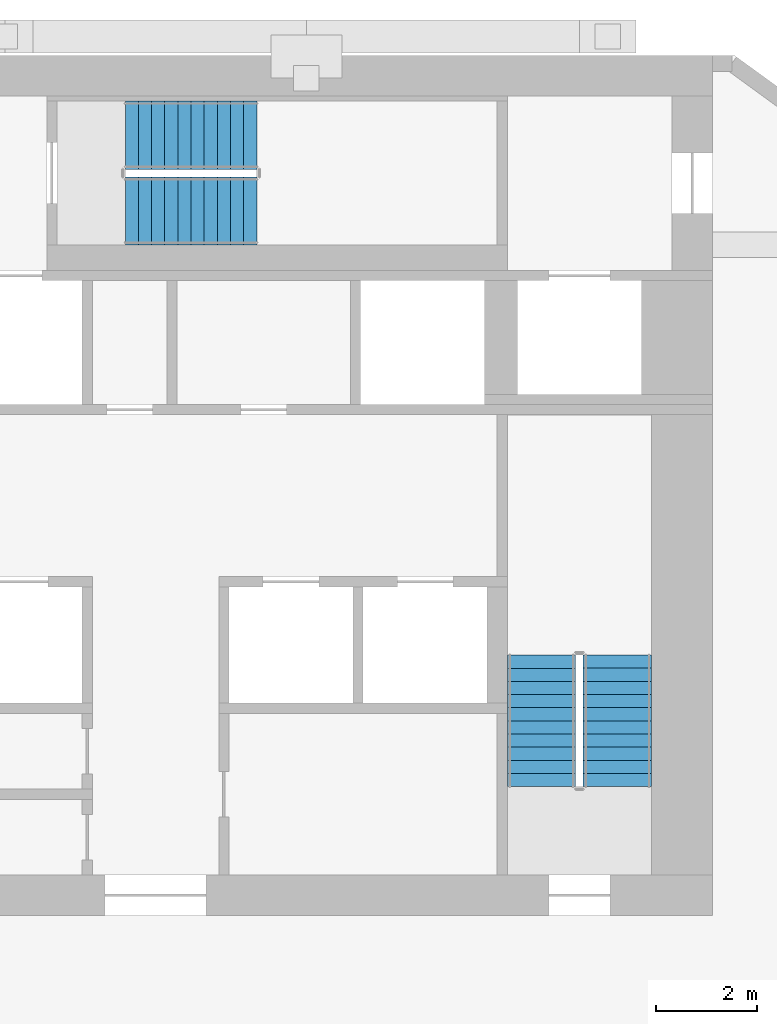
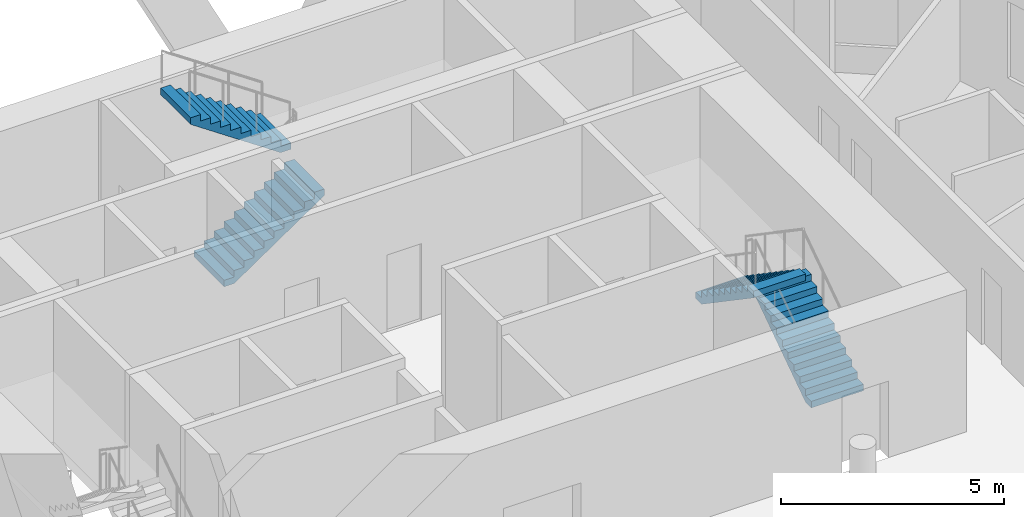
# One storey, part 8 of 10: 4 stair flights, 2 elements without a shape of their own.
"""IFC4 building model written with IfcOpenShell, lengths in metres."""

from ifc_helpers import new_model, si_unit, direction, frame, origin, place, context, subcontext, project, spatial, polyline, outline, extrude, material, layer, layer_set, type_object, element, aggregate, save


model = new_model("IFC4")

# Units and contexts
model_context = context("Model", 3, precision=1e-05, world=origin(), true_north=direction((0.0, 1.0)))
body_context = subcontext(model_context, "Body", "Model", "MODEL_VIEW")
ifc_project = project(units=[si_unit("LENGTHUNIT", "METRE"), si_unit("AREAUNIT", "SQUARE_METRE"), si_unit("VOLUMEUNIT", "CUBIC_METRE"), si_unit("PLANEANGLEUNIT", "RADIAN"), si_unit("MASSUNIT", "GRAM", prefix="KILO")], contexts=[model_context])

# Site, building, storey
site_placement = place(None, origin())
site = spatial("IfcSite", under=ifc_project, at=site_placement, CompositionType="ELEMENT")
building_placement = place(site_placement, origin())
building = spatial("IfcBuilding", under=site, at=building_placement, Name="White Candle Pilgrim Tower", CompositionType="ELEMENT")
storey_placement = place(building_placement, frame((0.0, 0.0, 231.60009765625)))
storey = spatial("IfcBuildingStorey", under=building, at=storey_placement, Name="L54", CompositionType="ELEMENT", Elevation=231.60009765625)

# Stair, stair flights
ifc_material = material(Name="Concrete C40/50", Category="concrete")
stair_type_1 = type_object("IfcStairType", Name="Exit stair 2 flight width 1350 mm", PredefinedType="HALF_TURN_STAIR", material=ifc_material)
stair_1_placement = place(storey_placement, origin())
stair_1 = element("IfcStair", 1, at=stair_1_placement, inside=storey, type_object=stair_type_1, Name="L54 stair 2", PredefinedType="NOTDEFINED")
ifc_layer = layer(ifc_material, 0.14990234375)
ifc_layer_set = layer_set([ifc_layer], Name="Stair flight Concrete C40/50")
stair_flight_type = type_object("IfcStairFlightType", Name="Stair flight Concrete C40/50", PredefinedType="STRAIGHT", material=ifc_layer_set)
stair_flight_1_placement = place(storey_placement, frame((79.125, 73.550048828125, 0.0), z_axis=(0.0, 0.0, 1.0), x_axis=(0.0, 1.0, 0.0)))
stair_flight_1 = element("IfcStairFlight", 2, at=stair_flight_1_placement, type_object=stair_flight_type, Name="ST2 flight 1", NumberOfRisers=11, NumberOfTreads=10, PredefinedType="NOTDEFINED", RiserHeight=0.177272727, TreadLength=0.26, context=body_context, shape_type="SweptSolid", body=[
    extrude(outline(polyline([(0.0, 0.0), (0.0, 0.17724609375), (0.260009765625, 0.17724609375), (0.260009765625, 0.3544921875), (0.52001953125, 0.3544921875), (0.52001953125, 0.53173828125), (0.780029296875, 0.53173828125), (0.780029296875, 0.708984375), (1.0400390625, 0.708984375), (1.0400390625, 0.886474609375), (1.300048828125, 0.886474609375), (1.300048828125, 1.063720703125), (1.56005859375, 1.063720703125), (1.56005859375, 1.240966796875), (1.820068359375, 1.240966796875), (1.820068359375, 1.418212890625), (2.080078125, 1.418212890625), (2.080078125, 1.595458984375), (2.340087890625, 1.595458984375), (2.340087890625, 1.772705078125), (2.60009765625, 1.772705078125), (2.60009765625, 1.949951171875), (2.60009765625, 1.59130859375), (0.26611328125, 0.0), (0.0, 0.0)])), frame((0.0, 0.675048828125, 0.0), z_axis=(0.0, -1.0, 0.0), x_axis=(1.0, 0.0, 0.0)), (0.0, 0.0, 1.0), 1.35009765625),
])
stair_flight_2_placement = place(storey_placement, frame((77.625, 76.14990234375, 1.949951171875), z_axis=(0.0, 0.0, 1.0), x_axis=(0.0, -1.0, 0.0)))
stair_flight_2 = element("IfcStairFlight", 3, at=stair_flight_2_placement, type_object=stair_flight_type, Name="ST2 flight 2", NumberOfRisers=11, NumberOfTreads=10, PredefinedType="NOTDEFINED", RiserHeight=0.177272727, TreadLength=0.26, context=body_context, shape_type="SweptSolid", body=[
    extrude(outline(polyline([(0.0, 0.0), (0.0, 0.17724609375), (0.260009765625, 0.17724609375), (0.260009765625, 0.3544921875), (0.52001953125, 0.3544921875), (0.52001953125, 0.53173828125), (0.780029296875, 0.53173828125), (0.780029296875, 0.708984375), (1.0400390625, 0.708984375), (1.0400390625, 0.886474609375), (1.300048828125, 0.886474609375), (1.300048828125, 1.063720703125), (1.56005859375, 1.063720703125), (1.56005859375, 1.240966796875), (1.820068359375, 1.240966796875), (1.820068359375, 1.418212890625), (2.080078125, 1.418212890625), (2.080078125, 1.595458984375), (2.340087890625, 1.595458984375), (2.340087890625, 1.772705078125), (2.60009765625, 1.772705078125), (2.60009765625, 1.949951171875), (2.60009765625, 1.59130859375), (0.26611328125, 0.0), (0.0, 0.0)])), frame((0.0, 0.675048828125, 0.0), z_axis=(0.0, -1.0, 0.0), x_axis=(1.0, 0.0, 0.0)), (0.0, 0.0, 1.0), 1.35009765625),
])
aggregate(stair_1, [stair_flight_1, stair_flight_2])

stair_type_2 = type_object("IfcStairType", Name="Exit stair 3 flight width 1350 mm", PredefinedType="HALF_TURN_STAIR", material=ifc_material)
stair_2_placement = place(storey_placement, origin())
stair_2 = element("IfcStair", 4, at=stair_2_placement, inside=storey, type_object=stair_type_2, Name="L54 stair 3", PredefinedType="NOTDEFINED")
stair_flight_3_placement = place(storey_placement, frame((69.39990234375, 84.925048828125, 0.0), z_axis=(0.0, 0.0, 1.0), x_axis=(1.0, 0.0, 0.0)))
stair_flight_3 = element("IfcStairFlight", 5, at=stair_flight_3_placement, type_object=stair_flight_type, Name="ST3 flight 1", NumberOfRisers=11, NumberOfTreads=10, PredefinedType="NOTDEFINED", RiserHeight=0.177272727, TreadLength=0.26, context=body_context, shape_type="SweptSolid", body=[
    extrude(outline(polyline([(0.0, 0.0), (0.0, 0.17724609375), (0.260009765625, 0.17724609375), (0.260009765625, 0.3544921875), (0.52001953125, 0.3544921875), (0.52001953125, 0.53173828125), (0.780029296875, 0.53173828125), (0.780029296875, 0.708984375), (1.0400390625, 0.708984375), (1.0400390625, 0.886474609375), (1.300048828125, 0.886474609375), (1.300048828125, 1.063720703125), (1.56005859375, 1.063720703125), (1.56005859375, 1.240966796875), (1.820068359375, 1.240966796875), (1.820068359375, 1.418212890625), (2.080078125, 1.418212890625), (2.080078125, 1.595458984375), (2.340087890625, 1.595458984375), (2.340087890625, 1.772705078125), (2.60009765625, 1.772705078125), (2.60009765625, 1.949951171875), (2.60009765625, 1.59130859375), (0.26611328125, 0.0), (0.0, 0.0)])), frame((0.0, 0.675048828125, 0.0), z_axis=(0.0, -1.0, 0.0), x_axis=(1.0, 0.0, 0.0)), (0.0, 0.0, 1.0), 1.35009765625),
])
stair_flight_4_placement = place(storey_placement, frame((72.0, 86.425048828125, 1.949951171875), z_axis=(0.0, 0.0, 1.0), x_axis=(-1.0, 0.0, 0.0)))
stair_flight_4 = element("IfcStairFlight", 6, at=stair_flight_4_placement, type_object=stair_flight_type, Name="ST3 flight 2", NumberOfRisers=11, NumberOfTreads=10, PredefinedType="NOTDEFINED", RiserHeight=0.177272727, TreadLength=0.26, context=body_context, shape_type="SweptSolid", body=[
    extrude(outline(polyline([(0.0, 0.0), (0.0, 0.17724609375), (0.260009765625, 0.17724609375), (0.260009765625, 0.3544921875), (0.52001953125, 0.3544921875), (0.52001953125, 0.53173828125), (0.780029296875, 0.53173828125), (0.780029296875, 0.708984375), (1.0400390625, 0.708984375), (1.0400390625, 0.886474609375), (1.300048828125, 0.886474609375), (1.300048828125, 1.063720703125), (1.56005859375, 1.063720703125), (1.56005859375, 1.240966796875), (1.820068359375, 1.240966796875), (1.820068359375, 1.418212890625), (2.080078125, 1.418212890625), (2.080078125, 1.595458984375), (2.340087890625, 1.595458984375), (2.340087890625, 1.772705078125), (2.60009765625, 1.772705078125), (2.60009765625, 1.949951171875), (2.60009765625, 1.59130859375), (0.26611328125, 0.0), (0.0, 0.0)])), frame((0.0, 0.675048828125, 0.0), z_axis=(0.0, -1.0, 0.0), x_axis=(1.0, 0.0, 0.0)), (0.0, 0.0, 1.0), 1.35009765625),
])
aggregate(stair_2, [stair_flight_3, stair_flight_4])

save(model, "model.ifc")
